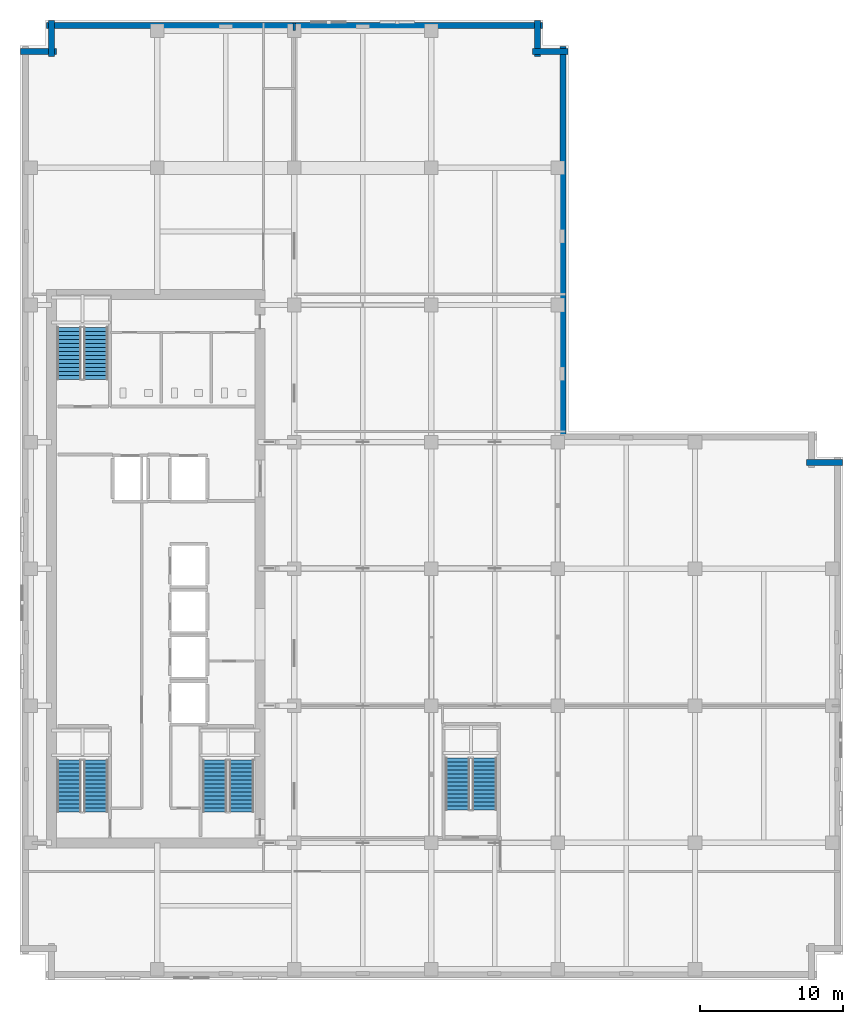
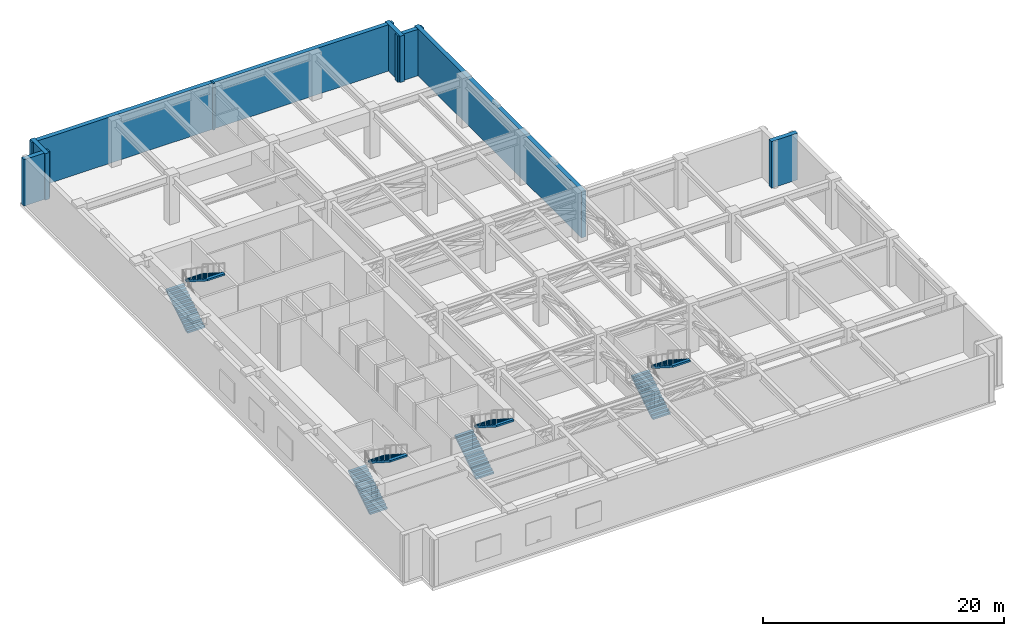
# One storey, part 15 of 21: 8 stair flights, 8 walls, 4 elements without a shape of their own.
"""IFC4 building model written with IfcOpenShell, lengths in metres."""

import ifcopenshell
import ifcopenshell.guid

model = None  # the IFC model being written
_history = None  # IfcOwnerHistory: only IFC2X3 demands one
_inside = {}  # id of a spatial element -> (the spatial element, [elements in it])
_under = {}  # id of a project, library or spatial element -> (it, [spatial elements below it])
_declared = {}  # id of a project -> (the project, [libraries it declares])
_typed = {}  # id of a type object -> (the type object, [elements of that type])
_made_of = {}  # id of a material, layer set ... -> (it, [elements and type objects made of it])


def new_model(schema):
    """Start an empty IFC model of exactly this schema.

    Asked for "IFC4X3", IfcOpenShell would pick the latest addendum, in which some entities
    have other attributes; the version numbers below select the first issue.
    IFC2X3 requires an IfcOwnerHistory on every rooted entity: one is made here for all.
    """
    global model, _history
    if schema == "IFC4X3":
        model = ifcopenshell.file(schema_version=(4, 3, 0, 0))
    else:
        model = ifcopenshell.file(schema=schema)
    _inside.clear()
    _under.clear()
    _declared.clear()
    _typed.clear()
    _made_of.clear()
    _history = None
    if model.schema == "IFC2X3":
        org = make("IfcOrganization", Name="unknown")
        user = make(
            "IfcPersonAndOrganization",
            ThePerson=make("IfcPerson", FamilyName="unknown"),
            TheOrganization=org,
        )
        app = make(
            "IfcApplication",
            ApplicationDeveloper=org,
            Version="unknown",
            ApplicationFullName="unknown",
            ApplicationIdentifier="unknown",
        )
        _history = make(
            "IfcOwnerHistory",
            OwningUser=user,
            OwningApplication=app,
            ChangeAction="ADDED",
            CreationDate=0,
        )
    return model


def make(cls, **values):
    """One entity of the class cls with the attributes given. An attribute that is None is left unset."""
    return model.create_entity(
        cls, **{name: value for name, value in values.items() if value is not None}
    )


def rooted(cls, **values):
    """An entity with a GlobalId (a new one), such as an element, a storey or a relation."""
    return make(cls, GlobalId=ifcopenshell.guid.new(), OwnerHistory=_history, **values)


def si_unit(unit_type, name, prefix=None):
    """IfcSIUnit, for example si_unit("LENGTHUNIT", "METRE", prefix="MILLI")."""
    return make("IfcSIUnit", UnitType=unit_type, Prefix=prefix, Name=name)


def assignment(units):
    """IfcUnitAssignment: the units of a project."""
    return None if units is None else make("IfcUnitAssignment", Units=units)


def point(xyz):
    """IfcCartesianPoint."""
    return None if xyz is None else make("IfcCartesianPoint", Coordinates=xyz)


def direction(xyz):
    """IfcDirection."""
    return None if xyz is None else make("IfcDirection", DirectionRatios=xyz)


def frame(location, z_axis=None, x_axis=None):
    """IfcAxis2Placement3D, a coordinate frame: its origin and axes. An axis left out is left unset."""
    return make(
        "IfcAxis2Placement3D",
        Location=point(location),
        Axis=direction(z_axis),
        RefDirection=direction(x_axis),
    )


def frame_2d(location, x_axis=None):
    """IfcAxis2Placement2D, a coordinate frame in the plane: its origin and x axis."""
    return make(
        "IfcAxis2Placement2D", Location=point(location), RefDirection=direction(x_axis)
    )


def origin():
    """The frame at (0, 0, 0) with its axes left unset."""
    return frame((0.0, 0.0, 0.0))


def place(relative_to, where):
    """IfcLocalPlacement: puts the frame where relative to a parent placement (None: the world)."""
    return make(
        "IfcLocalPlacement", PlacementRelTo=relative_to, RelativePlacement=where
    )


def context(
    kind, dimensions, precision=None, world=None, true_north=None, identifier=None
):
    """IfcGeometricRepresentationContext, for example the 3D "Model" context."""
    return make(
        "IfcGeometricRepresentationContext",
        ContextIdentifier=identifier,
        ContextType=kind,
        CoordinateSpaceDimension=dimensions,
        Precision=precision,
        WorldCoordinateSystem=world,
        TrueNorth=true_north,
    )


def subcontext(parent, identifier, kind, view, scale=None):
    """IfcGeometricRepresentationSubContext, for example "Body" below "Model"."""
    return make(
        "IfcGeometricRepresentationSubContext",
        ContextIdentifier=identifier,
        ContextType=kind,
        ParentContext=parent,
        TargetScale=scale,
        TargetView=view,
    )


def project(units=None, contexts=None):
    """IfcProject with its units and contexts."""
    return rooted(
        "IfcProject",
        Name="project",
        RepresentationContexts=contexts,
        UnitsInContext=assignment(units),
    )


def spatial(cls, under=None, at=None, **own):
    """A site, building, storey or space (cls), placed at a placement, below another one or the project."""
    s = rooted(cls, ObjectPlacement=at, **own)
    if under is not None:
        _under.setdefault(under.id(), (under, []))[1].append(s)
    return s


def polyline(points):
    """IfcPolyline through the points."""
    return make("IfcPolyline", Points=[point(p) for p in points])


def profile(cls, at=None, kind="AREA", **sizes):
    """A parametric profile (cls). Its sizes go by their IFC names, for example OverallWidth=200.0."""
    return make(cls, ProfileType=kind, Position=at, **sizes)


def rectangle(**sizes):
    """IfcRectangleProfileDef."""
    return profile("IfcRectangleProfileDef", **sizes)


def outline(outer, holes=None, kind="AREA"):
    """IfcArbitraryClosedProfileDef: a profile drawn as a closed curve; with holes, ...WithVoids."""
    if holes is None:
        return make("IfcArbitraryClosedProfileDef", ProfileType=kind, OuterCurve=outer)
    return make(
        "IfcArbitraryProfileDefWithVoids",
        ProfileType=kind,
        OuterCurve=outer,
        InnerCurves=holes,
    )


def extrude(swept, where, along, depth):
    """IfcExtrudedAreaSolid: the profile swept, set in the frame where, extruded along a direction by depth."""
    return make(
        "IfcExtrudedAreaSolid",
        SweptArea=swept,
        Position=where,
        ExtrudedDirection=direction(along),
        Depth=depth,
    )


def shape(context_of_items, identifier, shape_type, items):
    """IfcShapeRepresentation: the items that make up one representation, for example the "Body"."""
    return make(
        "IfcShapeRepresentation",
        ContextOfItems=context_of_items,
        RepresentationIdentifier=identifier,
        RepresentationType=shape_type,
        Items=items,
    )


def material(Name=None, Category=None):
    """IfcMaterial."""
    return make("IfcMaterial", Name=Name, Category=Category)


def layer(
    of_material, thickness, ventilated=None, Name=None, Category=None, Priority=None
):
    """IfcMaterialLayer: one layer of a wall or slab, of a material (None: an air gap)."""
    return make(
        "IfcMaterialLayer",
        Material=of_material,
        LayerThickness=thickness,
        IsVentilated=ventilated,
        Name=Name,
        Category=Category,
        Priority=Priority,
    )


def layer_set(layers, Name=None):
    """IfcMaterialLayerSet."""
    return make("IfcMaterialLayerSet", MaterialLayers=layers, LayerSetName=Name)


def made_of(thing, what):
    """Note that an element or type object is made of a material, layer set ...; save() writes the relation."""
    if what is not None:
        _made_of.setdefault(what.id(), (what, []))[1].append(thing)
    return thing


def type_object(cls, material=None, **own):
    """A type object (cls), such as IfcWallType, which elements share."""
    return made_of(rooted(cls, **own), material)


def element(
    cls,
    number,
    at=None,
    inside=None,
    cuts=None,
    type_object=None,
    material=None,
    context=None,
    identifier="Body",
    shape_type=None,
    held_by="IfcProductDefinitionShape",
    body=None,
    shapes=None,
    **own,
):
    """One element of the class cls, such as IfcWall. Its Tag is "e" and its number.

    at: its placement. inside: the storey or other place that contains it. cuts: it is an
    opening in that element (IfcRelVoidsElement). A single representation is given by context,
    identifier, shape_type and body (its items); several are given by shapes. held_by: the class
    of the entity that holds the representations. save() writes the other relations.
    """
    e = rooted(cls, Tag="e%d" % number, ObjectPlacement=at, **own)
    if body is not None:
        shapes = [shape(context, identifier, shape_type, body)]
    if shapes is not None:
        e.Representation = make(held_by, Representations=shapes)
    if inside is not None:
        _inside.setdefault(inside.id(), (inside, []))[1].append(e)
    if cuts is not None:
        rooted(
            "IfcRelVoidsElement", RelatingBuildingElement=cuts, RelatedOpeningElement=e
        )
    if type_object is not None:
        _typed.setdefault(type_object.id(), (type_object, []))[1].append(e)
    return made_of(e, material)


def aggregate(whole, parts):
    """IfcRelAggregates: a whole, such as a stair, and the parts it consists of."""
    return rooted("IfcRelAggregates", RelatingObject=whole, RelatedObjects=parts)


def save(model, path):
    """Write the relations noted so far, then the file.

    IfcRelAggregates (storeys below a building ...), IfcRelContainedInSpatialStructure (elements
    in a storey), IfcRelDefinesByType, IfcRelAssociatesMaterial and IfcRelDeclares: one each for
    every whole, place, type object, material and project.
    """
    for whole, parts in _under.values():
        aggregate(whole, parts)
    for where, things in _inside.values():
        rooted(
            "IfcRelContainedInSpatialStructure",
            RelatedElements=things,
            RelatingStructure=where,
        )
    for kind, things in _typed.values():
        rooted("IfcRelDefinesByType", RelatedObjects=things, RelatingType=kind)
    for what, things in _made_of.values():
        rooted("IfcRelAssociatesMaterial", RelatedObjects=things, RelatingMaterial=what)
    for by, libraries in _declared.values():
        rooted("IfcRelDeclares", RelatingContext=by, RelatedDefinitions=libraries)
    model.write(path)


model = new_model("IFC4")

# Units and contexts
model_context = context("Model", 3, precision=1e-05, world=origin(), true_north=direction((0.0, 1.0)))
body_context = subcontext(model_context, "Body", "Model", "MODEL_VIEW")
ifc_project = project(units=[si_unit("LENGTHUNIT", "METRE"), si_unit("AREAUNIT", "SQUARE_METRE"), si_unit("VOLUMEUNIT", "CUBIC_METRE"), si_unit("PLANEANGLEUNIT", "RADIAN"), si_unit("MASSUNIT", "GRAM", prefix="KILO")], contexts=[model_context])

# Site, building, storey
site_placement = place(None, origin())
site = spatial("IfcSite", under=ifc_project, at=site_placement, CompositionType="ELEMENT")
building_placement = place(site_placement, origin())
building = spatial("IfcBuilding", under=site, at=building_placement, Name="Norrvale University Quadrangle", CompositionType="ELEMENT")
storey_placement = place(building_placement, frame((0.0, 0.0, 194.0)))
storey = spatial("IfcBuildingStorey", under=building, at=storey_placement, Name="L49", CompositionType="ELEMENT", Elevation=194.0)

# Walls
ifc_material_1 = material(Name="Buff Norman Clay Brick Masonry", Category="masonry")
ifc_layer_1 = layer(ifc_material_1, 0.419921875, Name="Buff Norman Clay Brick Masonry")
ifc_layer_set_1 = layer_set([ifc_layer_1], Name="Buff Norman Clay Brick Masonry")
wall_type_1 = type_object("IfcWallType", Name="Wall Buff Brick 420", PredefinedType="SOLIDWALL", material=ifc_layer_set_1)
wall_1_placement = place(storey_placement, frame((57.56005859375, 36.2099609375, 0.0), z_axis=(0.0, 0.0, 1.0), x_axis=(-1.0, 0.0, 0.0)))
element("IfcWall", 1, at=wall_1_placement, inside=storey, type_object=wall_type_1, Name="Exterior Brick Facade Wall L49-05.1", PredefinedType="SOLIDWALL", context=body_context, shape_type="SweptSolid", body=[
    extrude(rectangle(XDim=2.5, YDim=0.419921875, at=frame_2d((1.25, 0.0))), origin(), (0.0, 0.0, 1.0), 4.739990234375),
])
wall_2_placement = place(storey_placement, frame((38.010009765625, 37.659912109375, 0.0), z_axis=(0.0, 0.0, 1.0), x_axis=(0.0, 1.0, 0.0)))
element("IfcWall", 2, at=wall_2_placement, inside=storey, type_object=wall_type_1, Name="Exterior Brick Facade Wall L49-08.1", PredefinedType="SOLIDWALL", context=body_context, shape_type="SweptSolid", body=[
    extrude(rectangle(XDim=27.7001953125, YDim=0.419921875, at=frame_2d((13.85009765625, 0.0))), origin(), (0.0, 0.0, 1.0), 4.739990234375),
])
for number, where, z_axis, x_axis, name in (
    (3, (38.360107421875, 65.010009765625, 0.0), (0.0, 0.0, 1.0), (-1.0, 0.0, 0.0), "Exterior Brick Facade Wall L49-09.1"),
    (4, (36.2099609375, 64.659912109375, 0.0), (0.0, 0.0, 1.0), (0.0, 1.0, 0.0), "Exterior Brick Facade Wall L49-10.1"),
):
    element("IfcWall", number, at=place(storey_placement, frame(where, z_axis=z_axis, x_axis=x_axis)), inside=storey, type_object=wall_type_1, Name=name, PredefinedType="SOLIDWALL", context=body_context, shape_type="SweptSolid", body=[
        extrude(rectangle(XDim=2.5, YDim=0.419921875, at=frame_2d((1.25, 0.0))), origin(), (0.0, 0.0, 1.0), 4.699951171875),
    ])
wall_3_placement = place(storey_placement, frame((36.56005859375, 66.81005859375, 0.0), z_axis=(0.0, 0.0, 1.0), x_axis=(-1.0, 0.0, 0.0)))
element("IfcWall", 5, at=wall_3_placement, inside=storey, type_object=wall_type_1, Name="Exterior Brick Facade Wall L49-11.1", PredefinedType="SOLIDWALL", context=body_context, shape_type="SweptSolid", body=[
    extrude(rectangle(XDim=34.719970703125, YDim=0.419921875, at=frame_2d((17.35986328125, 0.0))), origin(), (0.0, 0.0, 1.0), 4.699951171875),
])
for number, where, z_axis, x_axis, name in (
    (6, (2.18994140625, 67.159912109375, 0.0), (0.0, 0.0, 1.0), (0.0, -1.0, 0.0), "Exterior Brick Facade Wall L49-12.1"),
    (7, (2.5400390625, 65.010009765625, 0.0), (0.0, 0.0, 1.0), (-1.0, 0.0, 0.0), "Exterior Brick Facade Wall L49-13.1"),
):
    element("IfcWall", number, at=place(storey_placement, frame(where, z_axis=z_axis, x_axis=x_axis)), inside=storey, type_object=wall_type_1, Name=name, PredefinedType="SOLIDWALL", context=body_context, shape_type="SweptSolid", body=[
        extrude(rectangle(XDim=2.5, YDim=0.419921875, at=frame_2d((1.25, 0.0))), origin(), (0.0, 0.0, 1.0), 4.699951171875),
    ])
ifc_material_2 = material(Name="Fire-Rated Gypsum Stud Partition")
ifc_layer_2 = layer(ifc_material_2, 0.14990234375, Name="Fire-Rated Gypsum Stud Partition")
ifc_layer_set_2 = layer_set([ifc_layer_2], Name="Fire-Rated Gypsum Stud Partition")
wall_type_2 = type_object("IfcWallType", Name="Wall Gypsum Corridor 150", PredefinedType="PARTITIONING", material=ifc_layer_set_2)
wall_4_placement = place(storey_placement, frame((19.199951171875, 66.449951171875, 0.0), z_axis=(0.0, 0.0, 1.0), x_axis=(0.0, 1.0, 0.0)))
element("IfcWall", 8, at=wall_4_placement, inside=storey, type_object=wall_type_2, Name="Interior Partition WL-L49-PE-W-B3", PredefinedType="PARTITIONING", context=body_context, shape_type="SweptSolid", body=[
    extrude(rectangle(XDim=0.530029296875, YDim=0.14990234375, at=frame_2d((0.26513671875, 0.0))), origin(), (0.0, 0.0, 1.0), 4.739990234375),
])

# Stair, stair flights
ifc_material_3 = material(Name="Concrete C40/50", Category="concrete")
stair_type = type_object("IfcStairType", Name="Stair Tower Plant 5000", PredefinedType="TWO_STRAIGHT_RUN_STAIR", material=ifc_material_3)
stair_1_placement = place(storey_placement, origin())
stair_1 = element("IfcStair", 9, at=stair_1_placement, inside=storey, type_object=stair_type, Name="Exit Stair ST-01 L49", PredefinedType="TWO_STRAIGHT_RUN_STAIR")
stair_flight_type = type_object("IfcStairFlightType", Name="Flight Typ 1500", PredefinedType="STRAIGHT", material=ifc_material_3)
stair_flight_1_placement = place(storey_placement, frame((3.429931640625, 11.75, 0.0), z_axis=(0.0, 0.0, 1.0), x_axis=(0.0, 1.0, 0.0)))
stair_flight_1 = element("IfcStairFlight", 10, at=stair_flight_1_placement, type_object=stair_flight_type, Name="Exit Stair ST-01 L49 Lower Flight", NumberOfRisers=14, NumberOfTreads=13, PredefinedType="STRAIGHT", RiserHeight=0.178571, TreadLength=0.28, context=body_context, shape_type="SweptSolid", body=[
    extrude(outline(polyline([(0.0, 0.0), (0.0, 0.178466796875), (0.280029296875, 0.178466796875), (0.280029296875, 0.357177734375), (0.56005859375, 0.357177734375), (0.56005859375, 0.53564453125), (0.840087890625, 0.53564453125), (0.840087890625, 0.71435546875), (1.1201171875, 0.71435546875), (1.1201171875, 0.892822265625), (1.39990234375, 0.892822265625), (1.39990234375, 1.071533203125), (1.679931640625, 1.071533203125), (1.679931640625, 1.25), (1.9599609375, 1.25), (1.9599609375, 1.428466796875), (2.239990234375, 1.428466796875), (2.239990234375, 1.607177734375), (2.52001953125, 1.607177734375), (2.52001953125, 1.78564453125), (2.800048828125, 1.78564453125), (2.800048828125, 1.96435546875), (3.080078125, 1.96435546875), (3.080078125, 2.142822265625), (3.360107421875, 2.142822265625), (3.360107421875, 2.321533203125), (3.639892578125, 2.321533203125), (3.639892578125, 2.5), (3.639892578125, 2.1435546875), (0.27880859375, 0.0), (0.0, 0.0)])), frame((0.0, 0.83984375, 0.0), z_axis=(0.0, -1.0, 0.0), x_axis=(1.0, 0.0, 0.0)), (0.0, 0.0, 1.0), 1.679931640625),
])
stair_flight_2_placement = place(storey_placement, frame((5.320068359375, 15.389892578125, 2.5), z_axis=(0.0, 0.0, 1.0), x_axis=(0.0, -1.0, 0.0)))
stair_flight_2 = element("IfcStairFlight", 11, at=stair_flight_2_placement, type_object=stair_flight_type, Name="Exit Stair ST-01 L49 Upper Flight", NumberOfRisers=14, NumberOfTreads=13, PredefinedType="STRAIGHT", RiserHeight=0.178571, TreadLength=0.28, context=body_context, shape_type="SweptSolid", body=[
    extrude(outline(polyline([(0.0, 0.0), (0.0, 0.178466796875), (0.280029296875, 0.178466796875), (0.280029296875, 0.357177734375), (0.56005859375, 0.357177734375), (0.56005859375, 0.53564453125), (0.840087890625, 0.53564453125), (0.840087890625, 0.71435546875), (1.1201171875, 0.71435546875), (1.1201171875, 0.892822265625), (1.39990234375, 0.892822265625), (1.39990234375, 1.071533203125), (1.679931640625, 1.071533203125), (1.679931640625, 1.25), (1.9599609375, 1.25), (1.9599609375, 1.428466796875), (2.239990234375, 1.428466796875), (2.239990234375, 1.607177734375), (2.52001953125, 1.607177734375), (2.52001953125, 1.78564453125), (2.800048828125, 1.78564453125), (2.800048828125, 1.96435546875), (3.080078125, 1.96435546875), (3.080078125, 2.142822265625), (3.360107421875, 2.142822265625), (3.360107421875, 2.321533203125), (3.639892578125, 2.321533203125), (3.639892578125, 2.5), (3.639892578125, 2.1435546875), (0.27880859375, 0.0), (0.0, 0.0)])), frame((0.0, 0.83984375, 0.0), z_axis=(0.0, -1.0, 0.0), x_axis=(1.0, 0.0, 0.0)), (0.0, 0.0, 1.0), 1.679931640625),
])
aggregate(stair_1, [stair_flight_1, stair_flight_2])

stair_2_placement = place(storey_placement, origin())
stair_2 = element("IfcStair", 12, at=stair_2_placement, inside=storey, type_object=stair_type, Name="Exit Stair ST-02 L49", PredefinedType="TWO_STRAIGHT_RUN_STAIR")
stair_flight_3_placement = place(storey_placement, frame((3.429931640625, 42.050048828125, 0.0), z_axis=(0.0, 0.0, 1.0), x_axis=(0.0, 1.0, 0.0)))
stair_flight_3 = element("IfcStairFlight", 13, at=stair_flight_3_placement, type_object=stair_flight_type, Name="Exit Stair ST-02 L49 Lower Flight", NumberOfRisers=14, NumberOfTreads=13, PredefinedType="STRAIGHT", RiserHeight=0.178571, TreadLength=0.28, context=body_context, shape_type="SweptSolid", body=[
    extrude(outline(polyline([(0.0, 0.0), (0.0, 0.178466796875), (0.280029296875, 0.178466796875), (0.280029296875, 0.357177734375), (0.56005859375, 0.357177734375), (0.56005859375, 0.53564453125), (0.840087890625, 0.53564453125), (0.840087890625, 0.71435546875), (1.1201171875, 0.71435546875), (1.1201171875, 0.892822265625), (1.39990234375, 0.892822265625), (1.39990234375, 1.071533203125), (1.679931640625, 1.071533203125), (1.679931640625, 1.25), (1.9599609375, 1.25), (1.9599609375, 1.428466796875), (2.239990234375, 1.428466796875), (2.239990234375, 1.607177734375), (2.52001953125, 1.607177734375), (2.52001953125, 1.78564453125), (2.800048828125, 1.78564453125), (2.800048828125, 1.96435546875), (3.080078125, 1.96435546875), (3.080078125, 2.142822265625), (3.360107421875, 2.142822265625), (3.360107421875, 2.321533203125), (3.639892578125, 2.321533203125), (3.639892578125, 2.5), (3.639892578125, 2.1435546875), (0.27880859375, 0.0), (0.0, 0.0)])), frame((0.0, 0.83984375, 0.0), z_axis=(0.0, -1.0, 0.0), x_axis=(1.0, 0.0, 0.0)), (0.0, 0.0, 1.0), 1.679931640625),
])
stair_flight_4_placement = place(storey_placement, frame((5.320068359375, 45.68994140625, 2.5), z_axis=(0.0, 0.0, 1.0), x_axis=(0.0, -1.0, 0.0)))
stair_flight_4 = element("IfcStairFlight", 14, at=stair_flight_4_placement, type_object=stair_flight_type, Name="Exit Stair ST-02 L49 Upper Flight", NumberOfRisers=14, NumberOfTreads=13, PredefinedType="STRAIGHT", RiserHeight=0.178571, TreadLength=0.28, context=body_context, shape_type="SweptSolid", body=[
    extrude(outline(polyline([(0.0, 0.0), (0.0, 0.178466796875), (0.280029296875, 0.178466796875), (0.280029296875, 0.357177734375), (0.56005859375, 0.357177734375), (0.56005859375, 0.53564453125), (0.840087890625, 0.53564453125), (0.840087890625, 0.71435546875), (1.1201171875, 0.71435546875), (1.1201171875, 0.892822265625), (1.39990234375, 0.892822265625), (1.39990234375, 1.071533203125), (1.679931640625, 1.071533203125), (1.679931640625, 1.25), (1.9599609375, 1.25), (1.9599609375, 1.428466796875), (2.239990234375, 1.428466796875), (2.239990234375, 1.607177734375), (2.52001953125, 1.607177734375), (2.52001953125, 1.78564453125), (2.800048828125, 1.78564453125), (2.800048828125, 1.96435546875), (3.080078125, 1.96435546875), (3.080078125, 2.142822265625), (3.360107421875, 2.142822265625), (3.360107421875, 2.321533203125), (3.639892578125, 2.321533203125), (3.639892578125, 2.5), (3.639892578125, 2.1435546875), (0.27880859375, 0.0), (0.0, 0.0)])), frame((0.0, 0.83984375, 0.0), z_axis=(0.0, -1.0, 0.0), x_axis=(1.0, 0.0, 0.0)), (0.0, 0.0, 1.0), 1.679931640625),
])
aggregate(stair_2, [stair_flight_3, stair_flight_4])

stair_3_placement = place(storey_placement, origin())
stair_3 = element("IfcStair", 15, at=stair_3_placement, inside=storey, type_object=stair_type, Name="Exit Stair ST-03 L49", PredefinedType="TWO_STRAIGHT_RUN_STAIR")
stair_flight_5_placement = place(storey_placement, frame((13.6298828125, 11.75, 0.0), z_axis=(0.0, 0.0, 1.0), x_axis=(0.0, 1.0, 0.0)))
stair_flight_5 = element("IfcStairFlight", 16, at=stair_flight_5_placement, type_object=stair_flight_type, Name="Exit Stair ST-03 L49 Lower Flight", NumberOfRisers=14, NumberOfTreads=13, PredefinedType="STRAIGHT", RiserHeight=0.178571, TreadLength=0.28, context=body_context, shape_type="SweptSolid", body=[
    extrude(outline(polyline([(0.0, 0.0), (0.0, 0.178466796875), (0.280029296875, 0.178466796875), (0.280029296875, 0.357177734375), (0.56005859375, 0.357177734375), (0.56005859375, 0.53564453125), (0.840087890625, 0.53564453125), (0.840087890625, 0.71435546875), (1.1201171875, 0.71435546875), (1.1201171875, 0.892822265625), (1.39990234375, 0.892822265625), (1.39990234375, 1.071533203125), (1.679931640625, 1.071533203125), (1.679931640625, 1.25), (1.9599609375, 1.25), (1.9599609375, 1.428466796875), (2.239990234375, 1.428466796875), (2.239990234375, 1.607177734375), (2.52001953125, 1.607177734375), (2.52001953125, 1.78564453125), (2.800048828125, 1.78564453125), (2.800048828125, 1.96435546875), (3.080078125, 1.96435546875), (3.080078125, 2.142822265625), (3.360107421875, 2.142822265625), (3.360107421875, 2.321533203125), (3.639892578125, 2.321533203125), (3.639892578125, 2.5), (3.639892578125, 2.1435546875), (0.27880859375, 0.0), (0.0, 0.0)])), frame((0.0, 0.83984375, 0.0), z_axis=(0.0, -1.0, 0.0), x_axis=(1.0, 0.0, 0.0)), (0.0, 0.0, 1.0), 1.679931640625),
])
stair_flight_6_placement = place(storey_placement, frame((15.52001953125, 15.389892578125, 2.5), z_axis=(0.0, 0.0, 1.0), x_axis=(0.0, -1.0, 0.0)))
stair_flight_6 = element("IfcStairFlight", 17, at=stair_flight_6_placement, type_object=stair_flight_type, Name="Exit Stair ST-03 L49 Upper Flight", NumberOfRisers=14, NumberOfTreads=13, PredefinedType="STRAIGHT", RiserHeight=0.178571, TreadLength=0.28, context=body_context, shape_type="SweptSolid", body=[
    extrude(outline(polyline([(0.0, 0.0), (0.0, 0.178466796875), (0.280029296875, 0.178466796875), (0.280029296875, 0.357177734375), (0.56005859375, 0.357177734375), (0.56005859375, 0.53564453125), (0.840087890625, 0.53564453125), (0.840087890625, 0.71435546875), (1.1201171875, 0.71435546875), (1.1201171875, 0.892822265625), (1.39990234375, 0.892822265625), (1.39990234375, 1.071533203125), (1.679931640625, 1.071533203125), (1.679931640625, 1.25), (1.9599609375, 1.25), (1.9599609375, 1.428466796875), (2.239990234375, 1.428466796875), (2.239990234375, 1.607177734375), (2.52001953125, 1.607177734375), (2.52001953125, 1.78564453125), (2.800048828125, 1.78564453125), (2.800048828125, 1.96435546875), (3.080078125, 1.96435546875), (3.080078125, 2.142822265625), (3.360107421875, 2.142822265625), (3.360107421875, 2.321533203125), (3.639892578125, 2.321533203125), (3.639892578125, 2.5), (3.639892578125, 2.1435546875), (0.27880859375, 0.0), (0.0, 0.0)])), frame((0.0, 0.83984375, 0.0), z_axis=(0.0, -1.0, 0.0), x_axis=(1.0, 0.0, 0.0)), (0.0, 0.0, 1.0), 1.679931640625),
])
aggregate(stair_3, [stair_flight_5, stair_flight_6])

stair_4_placement = place(storey_placement, origin())
stair_4 = element("IfcStair", 18, at=stair_4_placement, inside=storey, type_object=stair_type, Name="Exit Stair ST-04 L49", PredefinedType="TWO_STRAIGHT_RUN_STAIR")
stair_flight_7_placement = place(storey_placement, frame((30.6298828125, 11.89990234375, 0.0), z_axis=(0.0, 0.0, 1.0), x_axis=(0.0, 1.0, 0.0)))
stair_flight_7 = element("IfcStairFlight", 19, at=stair_flight_7_placement, type_object=stair_flight_type, Name="Exit Stair ST-04 L49 Lower Flight", NumberOfRisers=14, NumberOfTreads=13, PredefinedType="STRAIGHT", RiserHeight=0.178571, TreadLength=0.28, context=body_context, shape_type="SweptSolid", body=[
    extrude(outline(polyline([(0.0, 0.0), (0.0, 0.178466796875), (0.280029296875, 0.178466796875), (0.280029296875, 0.357177734375), (0.56005859375, 0.357177734375), (0.56005859375, 0.53564453125), (0.840087890625, 0.53564453125), (0.840087890625, 0.71435546875), (1.1201171875, 0.71435546875), (1.1201171875, 0.892822265625), (1.39990234375, 0.892822265625), (1.39990234375, 1.071533203125), (1.679931640625, 1.071533203125), (1.679931640625, 1.25), (1.9599609375, 1.25), (1.9599609375, 1.428466796875), (2.239990234375, 1.428466796875), (2.239990234375, 1.607177734375), (2.52001953125, 1.607177734375), (2.52001953125, 1.78564453125), (2.800048828125, 1.78564453125), (2.800048828125, 1.96435546875), (3.080078125, 1.96435546875), (3.080078125, 2.142822265625), (3.360107421875, 2.142822265625), (3.360107421875, 2.321533203125), (3.639892578125, 2.321533203125), (3.639892578125, 2.5), (3.639892578125, 2.1435546875), (0.27880859375, 0.0), (0.0, 0.0)])), frame((0.0, 0.83984375, 0.0), z_axis=(0.0, -1.0, 0.0), x_axis=(1.0, 0.0, 0.0)), (0.0, 0.0, 1.0), 1.679931640625),
])
stair_flight_8_placement = place(storey_placement, frame((32.52001953125, 15.5400390625, 2.5), z_axis=(0.0, 0.0, 1.0), x_axis=(0.0, -1.0, 0.0)))
stair_flight_8 = element("IfcStairFlight", 20, at=stair_flight_8_placement, type_object=stair_flight_type, Name="Exit Stair ST-04 L49 Upper Flight", NumberOfRisers=14, NumberOfTreads=13, PredefinedType="STRAIGHT", RiserHeight=0.178571, TreadLength=0.28, context=body_context, shape_type="SweptSolid", body=[
    extrude(outline(polyline([(0.0, 0.0), (0.0, 0.178466796875), (0.280029296875, 0.178466796875), (0.280029296875, 0.357177734375), (0.56005859375, 0.357177734375), (0.56005859375, 0.53564453125), (0.840087890625, 0.53564453125), (0.840087890625, 0.71435546875), (1.1201171875, 0.71435546875), (1.1201171875, 0.892822265625), (1.39990234375, 0.892822265625), (1.39990234375, 1.071533203125), (1.679931640625, 1.071533203125), (1.679931640625, 1.25), (1.9599609375, 1.25), (1.9599609375, 1.428466796875), (2.239990234375, 1.428466796875), (2.239990234375, 1.607177734375), (2.52001953125, 1.607177734375), (2.52001953125, 1.78564453125), (2.800048828125, 1.78564453125), (2.800048828125, 1.96435546875), (3.080078125, 1.96435546875), (3.080078125, 2.142822265625), (3.360107421875, 2.142822265625), (3.360107421875, 2.321533203125), (3.639892578125, 2.321533203125), (3.639892578125, 2.5), (3.639892578125, 2.1435546875), (0.27880859375, 0.0), (0.0, 0.0)])), frame((0.0, 0.83984375, 0.0), z_axis=(0.0, -1.0, 0.0), x_axis=(1.0, 0.0, 0.0)), (0.0, 0.0, 1.0), 1.679931640625),
])
aggregate(stair_4, [stair_flight_7, stair_flight_8])

save(model, "model.ifc")
